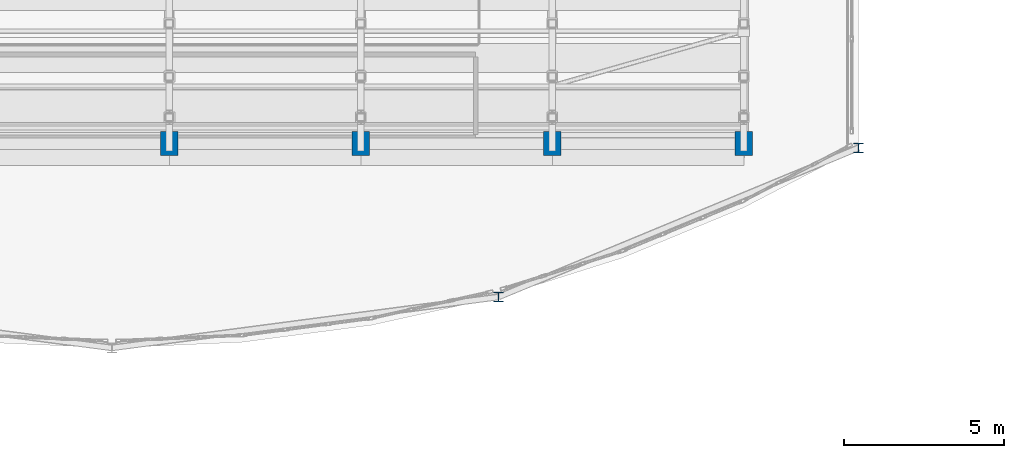
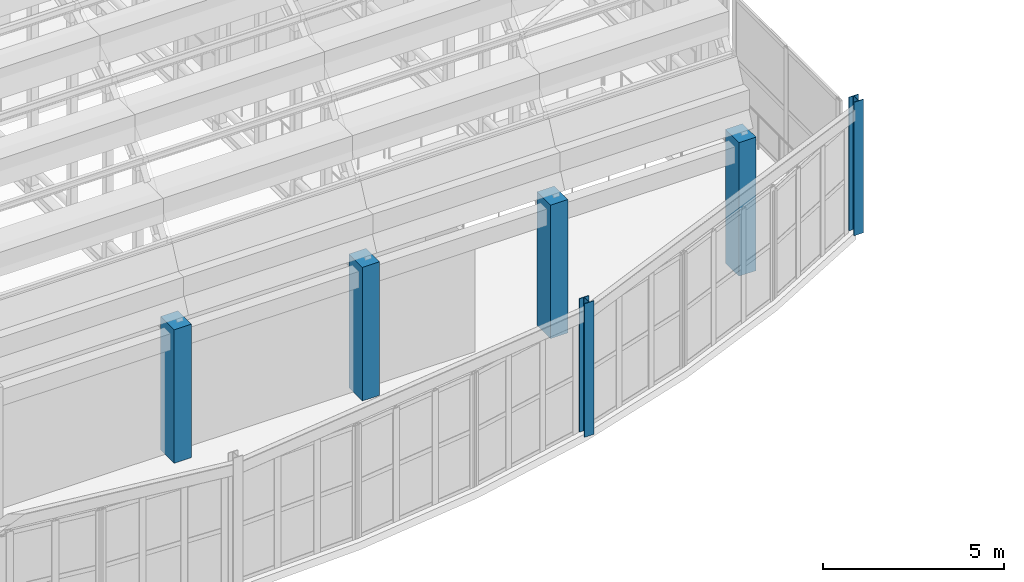
# One storey, part 2 of 91: 6 columns.
"""IFC4 building model written with IfcOpenShell, lengths in metres."""

from ifc_helpers import new_model, si_unit, direction, frame, origin, origin_2d, place, context, subcontext, project, spatial, rectangle, i_section, extrude, material, material_profile, profile_set, type_object, element, save


model = new_model("IFC4")

# Units and contexts
model_context = context("Model", 3, precision=1e-05, world=origin(), true_north=direction((0.0, 1.0)))
body_context = subcontext(model_context, "Body", "Model", "MODEL_VIEW")
ifc_project = project(units=[si_unit("LENGTHUNIT", "METRE"), si_unit("AREAUNIT", "SQUARE_METRE"), si_unit("VOLUMEUNIT", "CUBIC_METRE"), si_unit("PLANEANGLEUNIT", "RADIAN"), si_unit("MASSUNIT", "GRAM", prefix="KILO")], contexts=[model_context])

# Site, building, storey
site_placement = place(None, origin())
site = spatial("IfcSite", under=ifc_project, at=site_placement, CompositionType="ELEMENT")
building_placement = place(site_placement, origin())
building = spatial("IfcBuilding", under=site, at=building_placement, Name="Tarnavel Promenade Courthouse", CompositionType="ELEMENT")
storey_placement = place(building_placement, frame((0.0, 0.0, 9.89990234375)))
storey = spatial("IfcBuildingStorey", under=building, at=storey_placement, Name="L03", CompositionType="ELEMENT", Elevation=9.89990234375)

# Columns
ifc_material_1 = material(Name="Concrete C40/50", Category="concrete")
ifc_material_profile_1 = material_profile(ifc_material_1, rectangle(XDim=0.550048828125, YDim=0.75, at=origin_2d()), Name="RC 550x750")
ifc_profile_set_1 = profile_set([ifc_material_profile_1], Name="Concrete C40/50")
column_type_1 = type_object("IfcColumnType", Name="Concrete C40/50 COL-RC550x750 (RC 550x750)", PredefinedType="COLUMN", material=ifc_profile_set_1)
for number, where, z_axis, x_axis, name in (
    (1, (33.60009765625, 14.800048828125, 0.0), (0.0, 0.0, 1.0), (1.0, 0.0, 0.0), "L03 Structural Column 0681"),
    (2, (39.60009765625, 14.800048828125, 0.0), (0.0, 0.0, 1.0), (1.0, 0.0, 0.0), "L03 Structural Column 0689"),
    (3, (45.60009765625, 14.800048828125, 0.0), (0.0, 0.0, 1.0), (1.0, 0.0, 0.0), "L03 Structural Column 0697"),
    (4, (51.60009765625, 14.800048828125, 0.0), (0.0, 0.0, 1.0), (1.0, 0.0, 0.0), "L03 Structural Column 0705"),
):
    element("IfcColumn", number, at=place(storey_placement, frame(where, z_axis=z_axis, x_axis=x_axis)), inside=storey, type_object=column_type_1, Name=name, PredefinedType="COLUMN", context=body_context, shape_type="SweptSolid", body=[
        extrude(rectangle(XDim=0.550048828125, YDim=0.75, at=origin_2d()), origin(), (0.0, 0.0, 1.0), 4.5),
    ])
ifc_material_2 = material(Name="Steel S355J2", Category="steel")
ifc_material_profile_2 = material_profile(ifc_material_2, i_section(OverallWidth=0.300048828125, OverallDepth=0.300048828125, WebThickness=0.010986328125, FlangeThickness=0.01904296875, FilletRadius=0.027099609375, at=origin_2d()), Name="HEB 300")
ifc_profile_set_2 = profile_set([ifc_material_profile_2], Name="Steel S355J2")
column_type_2 = type_object("IfcColumnType", Name="Steel S355J2 COL-STL-HEB300 (HEB 300)", PredefinedType="COLUMN", material=ifc_profile_set_2)
for number, where, z_axis, x_axis, name in (
    (5, (43.91259765625, 9.99462890625, 0.0), (0.0, 0.0, 1.0), (1.0, 0.0, 0.0), "L03 Structural Column 0721"),
    (6, (55.199951171875, 14.669921875, 0.0), (0.0, 0.0, 1.0), (1.0, 0.0, 0.0), "L03 Structural Column 0725"),
):
    element("IfcColumn", number, at=place(storey_placement, frame(where, z_axis=z_axis, x_axis=x_axis)), inside=storey, type_object=column_type_2, Name=name, PredefinedType="COLUMN", context=body_context, shape_type="SweptSolid", body=[
        extrude(i_section(OverallWidth=0.300048828125, OverallDepth=0.300048828125, WebThickness=0.010986328125, FlangeThickness=0.01904296875, FilletRadius=0.027099609375, at=origin_2d()), origin(), (0.0, 0.0, 1.0), 4.5),
    ])

save(model, "model.ifc")
